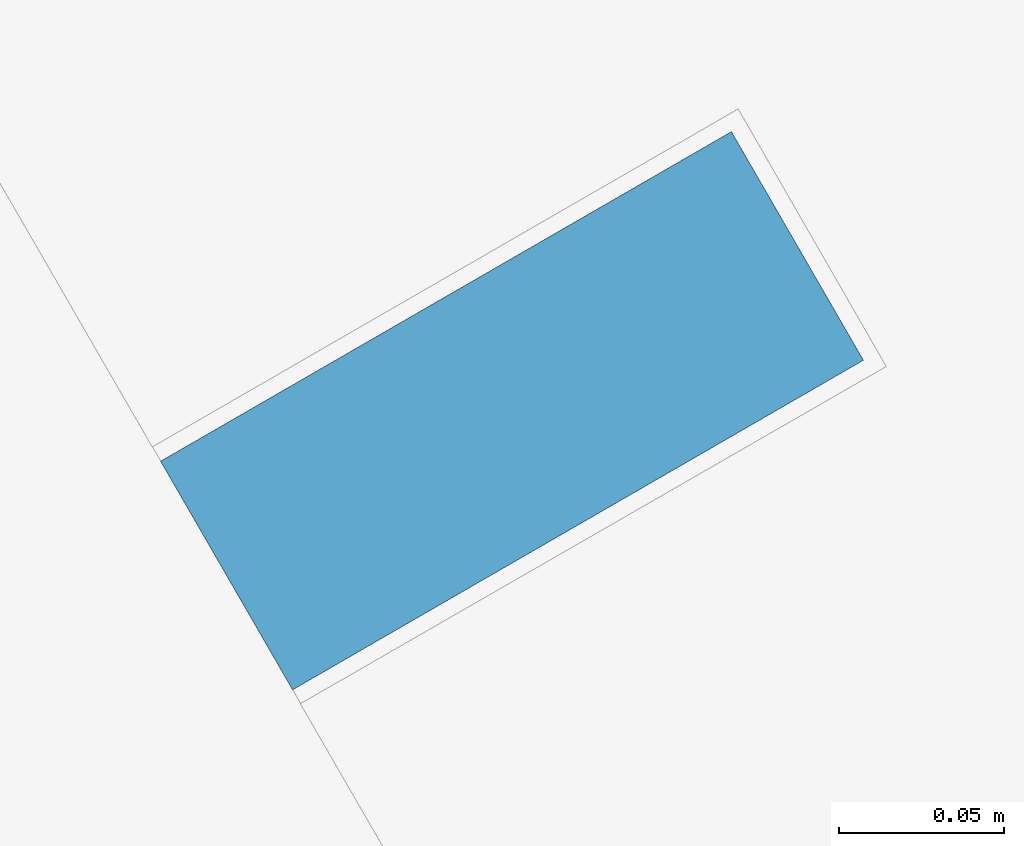
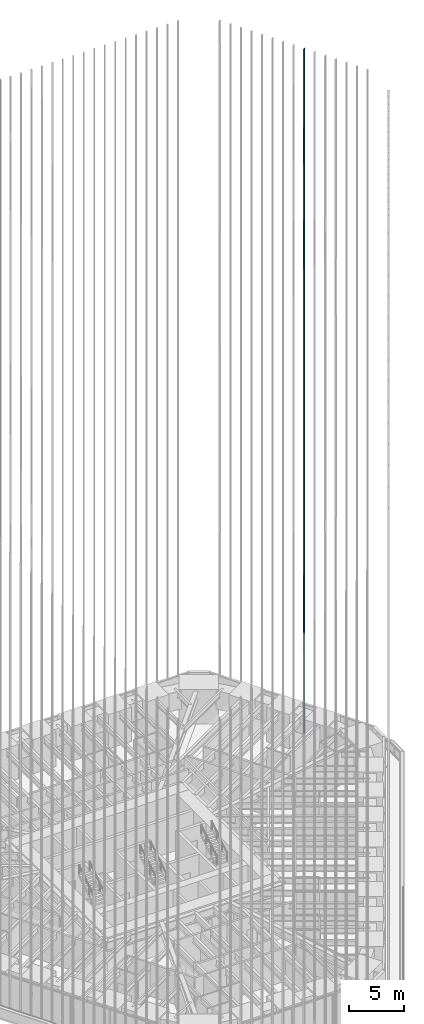
# One storey, part 196 of 238: 1 member, 1 element without a shape of its own.
"""IFC4 building model written with IfcOpenShell, lengths in metres."""

from ifc_helpers import new_model, si_unit, direction, frame, origin, origin_2d, place, context, subcontext, project, spatial, rectangle, extrude, material, material_profile, profile_set, type_object, element, aggregate, save


model = new_model("IFC4")

# Units and contexts
model_context = context("Model", 3, precision=1e-05, world=origin(), true_north=direction((0.0, 1.0)))
body_context = subcontext(model_context, "Body", "Model", "MODEL_VIEW")
ifc_project = project(units=[si_unit("LENGTHUNIT", "METRE"), si_unit("AREAUNIT", "SQUARE_METRE"), si_unit("VOLUMEUNIT", "CUBIC_METRE"), si_unit("PLANEANGLEUNIT", "RADIAN"), si_unit("MASSUNIT", "GRAM", prefix="KILO")], contexts=[model_context])

# Site, building, storey
site_placement = place(None, origin())
site = spatial("IfcSite", under=ifc_project, at=site_placement, CompositionType="ELEMENT")
building_placement = place(site_placement, origin())
building = spatial("IfcBuilding", under=site, at=building_placement, Name="Sandreach Pilgrim Tower", CompositionType="ELEMENT")
storey_placement = place(building_placement, frame((0.0, 0.0, 96.800048828125)))
storey = spatial("IfcBuildingStorey", under=building, at=storey_placement, Name="L23", CompositionType="ELEMENT", Elevation=96.800048828125)

# Curtain wall, member
ifc_material_1 = material(Name="Aluminium framed curtain wall", Category="aluminium")
curtain_wall_type = type_object("IfcCurtainWallType", Name="Hotel tower curtain wall", PredefinedType="NOTDEFINED", material=ifc_material_1)
curtain_wall_placement = place(storey_placement, origin())
curtain_wall = element("IfcCurtainWall", 1, at=curtain_wall_placement, inside=storey, type_object=curtain_wall_type, Name="CW-2 L23 NE", PredefinedType="NOTDEFINED")
ifc_material_2 = material(Name="Extruded terracotta on aluminium core", Category="masonry")
ifc_material_profile = material_profile(ifc_material_2, rectangle(XDim=0.080078125, YDim=0.199951171875, at=origin_2d()), Name="TBE 80X200")
ifc_profile_set = profile_set([ifc_material_profile], Name="Extruded terracotta on aluminium core")
member_type = type_object("IfcMemberType", Name="Terracotta baguette east", PredefinedType="USERDEFINED", material=ifc_profile_set)
member_placement = place(storey_placement, frame((25.314208984375, 13.3388671875, 0.0), z_axis=(0.0, 0.0, 1.0), x_axis=(0.5, -0.866025403784, 0.0)))
member = element("IfcMember", 2, at=member_placement, type_object=member_type, Name="Baguette Z2 NE09", ObjectType="BAGUETTE", PredefinedType="USERDEFINED", context=body_context, shape_type="SweptSolid", body=[
    extrude(rectangle(XDim=0.080078125, YDim=0.199951171875, at=origin_2d()), origin(), (0.0, 0.0, 1.0), 75.83984375),
])
aggregate(curtain_wall, [member])

save(model, "model.ifc")
